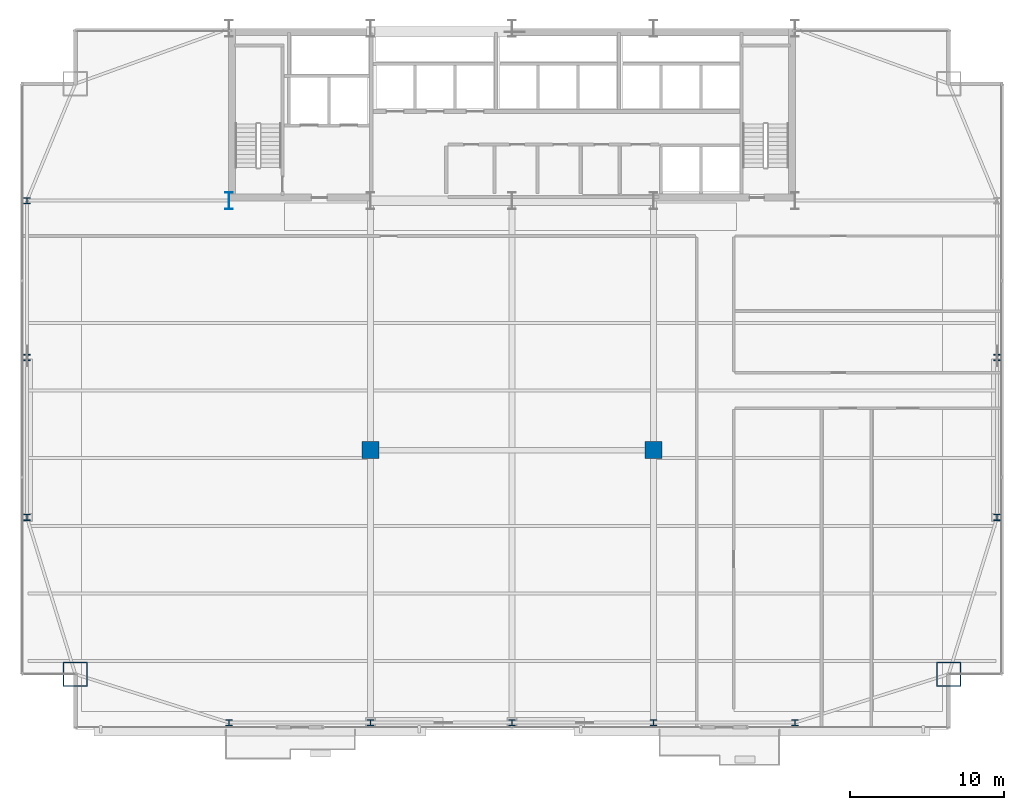
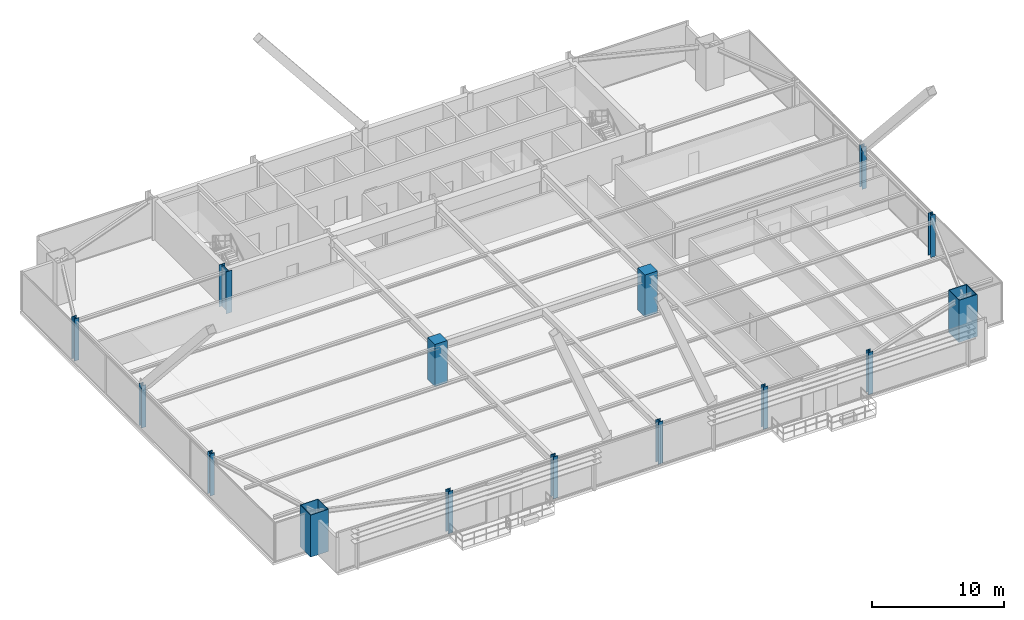
# One storey, part 1 of 35: 15 columns.
"""IFC4 building model written with IfcOpenShell, lengths in metres."""

from ifc_helpers import new_model, si_unit, direction, frame, origin, origin_2d, place, context, subcontext, project, spatial, rectangle, hollow_rectangle, i_section, extrude, source, transform, mapped, material, material_profile, profile_set, type_object, type_shapes, element, save


model = new_model("IFC4")

# Units and contexts
model_context = context("Model", 3, precision=1e-05, world=origin(), true_north=direction((0.0, 1.0)))
body_context = subcontext(model_context, "Body", "Model", "MODEL_VIEW")
ifc_project = project(units=[si_unit("LENGTHUNIT", "METRE"), si_unit("AREAUNIT", "SQUARE_METRE"), si_unit("VOLUMEUNIT", "CUBIC_METRE"), si_unit("PLANEANGLEUNIT", "RADIAN"), si_unit("MASSUNIT", "GRAM", prefix="KILO")], contexts=[model_context])

# Site, building, storey
site_placement = place(None, origin())
site = spatial("IfcSite", under=ifc_project, at=site_placement, CompositionType="ELEMENT")
building_placement = place(site_placement, origin())
building = spatial("IfcBuilding", under=site, at=building_placement, Name="Varnel Quay Broadcast Tower", CompositionType="ELEMENT")
storey_placement = place(building_placement, frame((0.0, 0.0, 66.60009765625)))
storey = spatial("IfcBuildingStorey", under=building, at=storey_placement, Name="L15", CompositionType="ELEMENT", Elevation=66.60009765625)

# Columns
ifc_material_1 = material(Name="Structural Steel CSA G40.21 350WT", Category="steel")
ifc_material_profile_1 = material_profile(ifc_material_1, i_section(OverallWidth=0.5, OverallDepth=1.10009765625, WebThickness=0.01806640625, FlangeThickness=0.031982421875, FilletRadius=0.01806640625, at=origin_2d()), Name="WWF1100X418")
ifc_profile_set_1 = profile_set([ifc_material_profile_1], Name="Structural Steel CSA G40.21 350WT")
column_type_1 = type_object("IfcColumnType", Name="Col_WWF1100X418", PredefinedType="COLUMN", material=ifc_profile_set_1)
shared_shape_1 = source(origin(), body_context, "Body", "SweptSolid", [
    extrude(i_section(OverallWidth=0.5, OverallDepth=1.10009765625, WebThickness=0.01806640625, FlangeThickness=0.031982421875, FilletRadius=0.01806640625, at=origin_2d()), origin(), (0.0, 0.0, 1.0), 3.89990234375),
])
type_shapes(column_type_1, [shared_shape_1])
column_placement = place(storey_placement, frame((15.60009765625, 35.60009765625, 0.0), z_axis=(0.0, 0.0, 1.0), x_axis=(1.0, 0.0, 0.0)))
element("IfcColumn", 1, at=column_placement, inside=storey, type_object=column_type_1, Name="L15 Column CC-S1", PredefinedType="COLUMN", context=body_context, shape_type="MappedRepresentation", body=[
    mapped(shared_shape_1, transform((0.0, 0.0, 0.0), x_axis=(1.0, 0.0, 0.0), y_axis=(0.0, 1.0, 0.0), z_axis=(0.0, 0.0, 1.0), scale=1.0)),
])
ifc_material_profile_2 = material_profile(ifc_material_1, hollow_rectangle(XDim=1.60009765625, YDim=1.60009765625, WallThickness=0.06005859375, at=origin_2d()), Name="BOX1600X1600X60")
ifc_profile_set_2 = profile_set([ifc_material_profile_2], Name="Structural Steel CSA G40.21 350WT")
column_type_2 = type_object("IfcColumnType", Name="Col_BOX1600X1600X60", PredefinedType="COLUMN", material=ifc_profile_set_2)
shared_shape_2 = source(origin(), body_context, "Body", "SweptSolid", [
    extrude(hollow_rectangle(XDim=1.60009765625, YDim=1.60009765625, WallThickness=0.06005859375, at=origin_2d()), origin(), (0.0, 0.0, 1.0), 3.89990234375),
])
type_shapes(column_type_2, [shared_shape_2])
for number, where, z_axis, x_axis, name in (
    (2, (5.60009765625, 4.800048828125, 0.0), (0.0, 0.0, 1.0), (1.0, 0.0, 0.0), "L15 Column MC-SW"),
    (3, (62.39990234375, 4.800048828125, 0.0), (0.0, 0.0, 1.0), (1.0, 0.0, 0.0), "L15 Column MC-SE"),
):
    element("IfcColumn", number, at=place(storey_placement, frame(where, z_axis=z_axis, x_axis=x_axis)), inside=storey, type_object=column_type_2, Name=name, PredefinedType="COLUMN", context=body_context, shape_type="MappedRepresentation", body=[
        mapped(shared_shape_2, transform((0.0, 0.0, 0.0), x_axis=(1.0, 0.0, 0.0), y_axis=(0.0, 1.0, 0.0), z_axis=(0.0, 0.0, 1.0), scale=1.0)),
    ])
ifc_material_2 = material(Name="Structural Steel CSA G40.21 350W", Category="steel")
ifc_material_profile_3 = material_profile(ifc_material_2, i_section(OverallWidth=0.404052734375, OverallDepth=0.406982421875, WebThickness=0.027099609375, FlangeThickness=0.043701171875, FilletRadius=0.01806640625, at=origin_2d()), Name="W360X347")
ifc_profile_set_3 = profile_set([ifc_material_profile_3], Name="Structural Steel CSA G40.21 350W")
column_type_3 = type_object("IfcColumnType", Name="Col_W360X347", PredefinedType="COLUMN", material=ifc_profile_set_3)
shared_shape_3 = source(origin(), body_context, "Body", "SweptSolid", [
    extrude(i_section(OverallWidth=0.404052734375, OverallDepth=0.406982421875, WebThickness=0.027099609375, FlangeThickness=0.043701171875, FilletRadius=0.01806640625, at=origin_2d()), origin(), (0.0, 0.0, 1.0), 3.89990234375),
])
type_shapes(column_type_3, [shared_shape_3])
for number, where, z_axis, x_axis, name in (
    (4, (15.60009765625, 1.64990234375, 0.0), (0.0, 0.0, 1.0), (1.0, 0.0, 0.0), "L15 Column TC-S1"),
    (5, (24.800048828125, 1.64990234375, 0.0), (0.0, 0.0, 1.0), (1.0, 0.0, 0.0), "L15 Column TC-S2"),
    (6, (34.0, 1.64990234375, 0.0), (0.0, 0.0, 1.0), (1.0, 0.0, 0.0), "L15 Column TC-S3"),
    (7, (43.199951171875, 1.64990234375, 0.0), (0.0, 0.0, 1.0), (1.0, 0.0, 0.0), "L15 Column TC-S4"),
    (8, (52.39990234375, 1.64990234375, 0.0), (0.0, 0.0, 1.0), (1.0, 0.0, 0.0), "L15 Column TC-S5"),
    (9, (2.449951171875, 15.0, 0.0), (0.0, 0.0, 1.0), (1.0, 0.0, 0.0), "L15 Column TC-W1"),
    (10, (65.550048828125, 15.0, 0.0), (0.0, 0.0, 1.0), (1.0, 0.0, 0.0), "L15 Column TC-E1"),
    (11, (2.449951171875, 25.39990234375, 0.0), (0.0, 0.0, 1.0), (1.0, 0.0, 0.0), "L15 Column TC-W2"),
    (12, (65.550048828125, 25.39990234375, 0.0), (0.0, 0.0, 1.0), (1.0, 0.0, 0.0), "L15 Column TC-E2"),
    (13, (2.449951171875, 35.60009765625, 0.0), (0.0, 0.0, 1.0), (1.0, 0.0, 0.0), "L15 Column TC-W3"),
):
    element("IfcColumn", number, at=place(storey_placement, frame(where, z_axis=z_axis, x_axis=x_axis)), inside=storey, type_object=column_type_3, Name=name, PredefinedType="COLUMN", context=body_context, shape_type="MappedRepresentation", body=[
        mapped(shared_shape_3, transform((0.0, 0.0, 0.0), x_axis=(1.0, 0.0, 0.0), y_axis=(0.0, 1.0, 0.0), z_axis=(0.0, 0.0, 1.0), scale=1.0)),
    ])
ifc_material_3 = material(Name="Concrete CSA A23.3 C60/75", Category="concrete")
ifc_material_profile_4 = material_profile(ifc_material_3, rectangle(XDim=1.10009765625, YDim=1.10009765625, at=origin_2d()), Name="RC1100X1100")
ifc_profile_set_4 = profile_set([ifc_material_profile_4], Name="Concrete CSA A23.3 C60/75")
column_type_4 = type_object("IfcColumnType", Name="Col_RC1100X1100", PredefinedType="COLUMN", material=ifc_profile_set_4)
shared_shape_4 = source(origin(), body_context, "Body", "SweptSolid", [
    extrude(rectangle(XDim=1.10009765625, YDim=1.10009765625, at=origin_2d()), origin(), (0.0, 0.0, 1.0), 3.89990234375),
])
type_shapes(column_type_4, [shared_shape_4])
for number, where, z_axis, x_axis, name in (
    (14, (24.800048828125, 19.3701171875, 0.0), (0.0, 0.0, 1.0), (1.0, 0.0, 0.0), "L15 Column IC-01"),
    (15, (43.199951171875, 19.3701171875, 0.0), (0.0, 0.0, 1.0), (1.0, 0.0, 0.0), "L15 Column IC-02"),
):
    element("IfcColumn", number, at=place(storey_placement, frame(where, z_axis=z_axis, x_axis=x_axis)), inside=storey, type_object=column_type_4, Name=name, PredefinedType="COLUMN", context=body_context, shape_type="MappedRepresentation", body=[
        mapped(shared_shape_4, transform((0.0, 0.0, 0.0), x_axis=(1.0, 0.0, 0.0), y_axis=(0.0, 1.0, 0.0), z_axis=(0.0, 0.0, 1.0), scale=1.0)),
    ])

save(model, "model.ifc")
